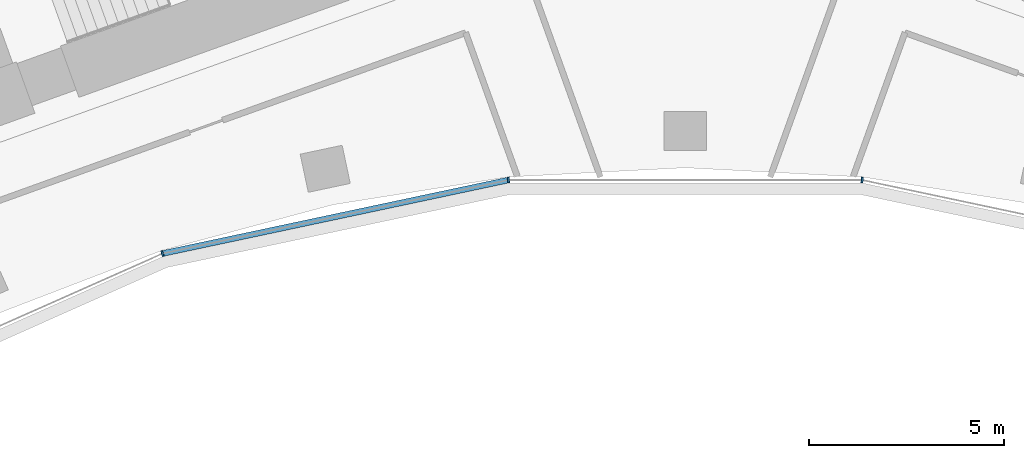
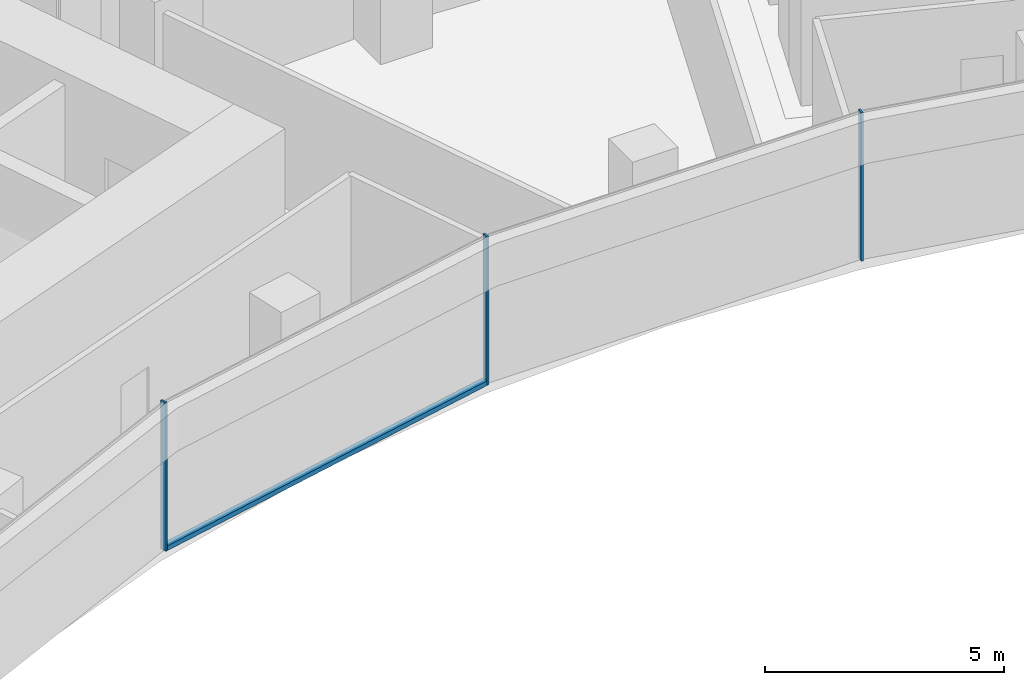
# One storey, part 5 of 20: 4 members, 1 element without a shape of its own.
"""IFC4 building model written with IfcOpenShell, lengths in metres."""

from ifc_helpers import new_model, si_unit, direction, frame, origin, origin_2d, place, context, subcontext, project, spatial, rectangle, extrude, material, layer, layer_set, material_profile, profile_set, type_object, element, aggregate, save


model = new_model("IFC4")

# Units and contexts
model_context = context("Model", 3, precision=1e-05, world=origin(), true_north=direction((0.0, 1.0)))
body_context = subcontext(model_context, "Body", "Model", "MODEL_VIEW")
ifc_project = project(units=[si_unit("LENGTHUNIT", "METRE"), si_unit("AREAUNIT", "SQUARE_METRE"), si_unit("VOLUMEUNIT", "CUBIC_METRE"), si_unit("PLANEANGLEUNIT", "RADIAN"), si_unit("MASSUNIT", "GRAM", prefix="KILO")], contexts=[model_context])

# Site, building, storey
site_placement = place(None, origin())
site = spatial("IfcSite", under=ifc_project, at=site_placement, CompositionType="ELEMENT")
building_placement = place(site_placement, origin())
building = spatial("IfcBuilding", under=site, at=building_placement, Name="Stone Belt Terrace Tower", CompositionType="ELEMENT")
storey_placement = place(building_placement, frame((0.0, 0.0, 185.800048828125)))
storey = spatial("IfcBuildingStorey", under=building, at=storey_placement, Name="L45", CompositionType="ELEMENT", Elevation=185.800048828125)

# Curtain wall, members
ifc_material = material(Name="Aluminium 6063-T6 anodised frame", Category="aluminium")
ifc_layer = layer(ifc_material, 0.14990234375)
ifc_layer_set = layer_set([ifc_layer], Name="CW-B unitised concave-face curtain wall")
curtain_wall_type = type_object("IfcCurtainWallType", Name="CW-B unitised concave-face curtain wall", PredefinedType="NOTDEFINED", material=ifc_layer_set)
curtain_wall_placement = place(storey_placement, origin())
curtain_wall = element("IfcCurtainWall", 1, at=curtain_wall_placement, inside=storey, type_object=curtain_wall_type, Name="CW-B concave face L45", PredefinedType="NOTDEFINED")
ifc_material_profile_1 = material_profile(ifc_material, rectangle(XDim=0.14990234375, YDim=0.050048828125, at=origin_2d()), Name="Aluminium 6063-T6 50x150")
ifc_profile_set_1 = profile_set([ifc_material_profile_1], Name="Aluminium 6063-T6 anodised frame")
member_type_1 = type_object("IfcMemberType", Name="CW-B mullion 50 x 150", PredefinedType="MULLION", material=ifc_profile_set_1)
member_1_placement = place(storey_placement, frame((-13.4189453125, 41.29931640625, 0.0), z_axis=(0.0, 0.0, 1.0), x_axis=(-0.309016994375, 0.951056516295, 0.0)))
member_1 = element("IfcMember", 2, at=member_1_placement, type_object=member_type_1, Name="CW-B mullion 4", PredefinedType="MULLION", context=body_context, shape_type="SweptSolid", body=[
    extrude(rectangle(XDim=0.14990234375, YDim=0.050048828125, at=origin_2d()), origin(), (0.0, 0.0, 1.0), 3.800048828125),
])
member_2_placement = place(storey_placement, frame((-4.5390625, 43.186767578125, 0.0), z_axis=(0.0, 0.0, 1.0), x_axis=(-0.104528463268, 0.994521895368, 0.0)))
member_2 = element("IfcMember", 3, at=member_2_placement, type_object=member_type_1, Name="CW-B mullion 5", PredefinedType="MULLION", context=body_context, shape_type="SweptSolid", body=[
    extrude(rectangle(XDim=0.14990234375, YDim=0.050048828125, at=origin_2d()), origin(), (0.0, 0.0, 1.0), 3.800048828125),
])
member_3_placement = place(storey_placement, frame((4.5390625, 43.186767578125, 0.0), z_axis=(0.0, 0.0, 1.0), x_axis=(0.104528463268, 0.994521895368, 0.0)))
member_3 = element("IfcMember", 4, at=member_3_placement, type_object=member_type_1, Name="CW-B mullion 6", PredefinedType="MULLION", context=body_context, shape_type="SweptSolid", body=[
    extrude(rectangle(XDim=0.14990234375, YDim=0.050048828125, at=origin_2d()), origin(), (0.0, 0.0, 1.0), 3.800048828125),
])
ifc_material_profile_2 = material_profile(ifc_material, rectangle(XDim=0.14990234375, YDim=0.1201171875, at=origin_2d()), Name="Aluminium 6063-T6 150x120")
ifc_profile_set_2 = profile_set([ifc_material_profile_2], Name="Aluminium 6063-T6 anodised frame")
member_type_2 = type_object("IfcMemberType", Name="CW-B transom 120 x 150", PredefinedType="USERDEFINED", material=ifc_profile_set_2)
member_4_placement = place(storey_placement, frame((-13.386962890625, 41.30615234375, 0.06005859375), z_axis=(0.9781499003, 0.207900871914, 0.0), x_axis=(-0.207900871914, 0.9781499003, 0.0)))
member_4 = element("IfcMember", 5, at=member_4_placement, type_object=member_type_2, Name="CW-B transom 4.1", ObjectType="TRANSOM", PredefinedType="USERDEFINED", context=body_context, shape_type="SweptSolid", body=[
    extrude(rectangle(XDim=0.14990234375, YDim=0.1201171875, at=origin_2d()), origin(), (0.0, 0.0, 1.0), 9.012939453125),
])
aggregate(curtain_wall, [member_1, member_2, member_3, member_4])

save(model, "model.ifc")
